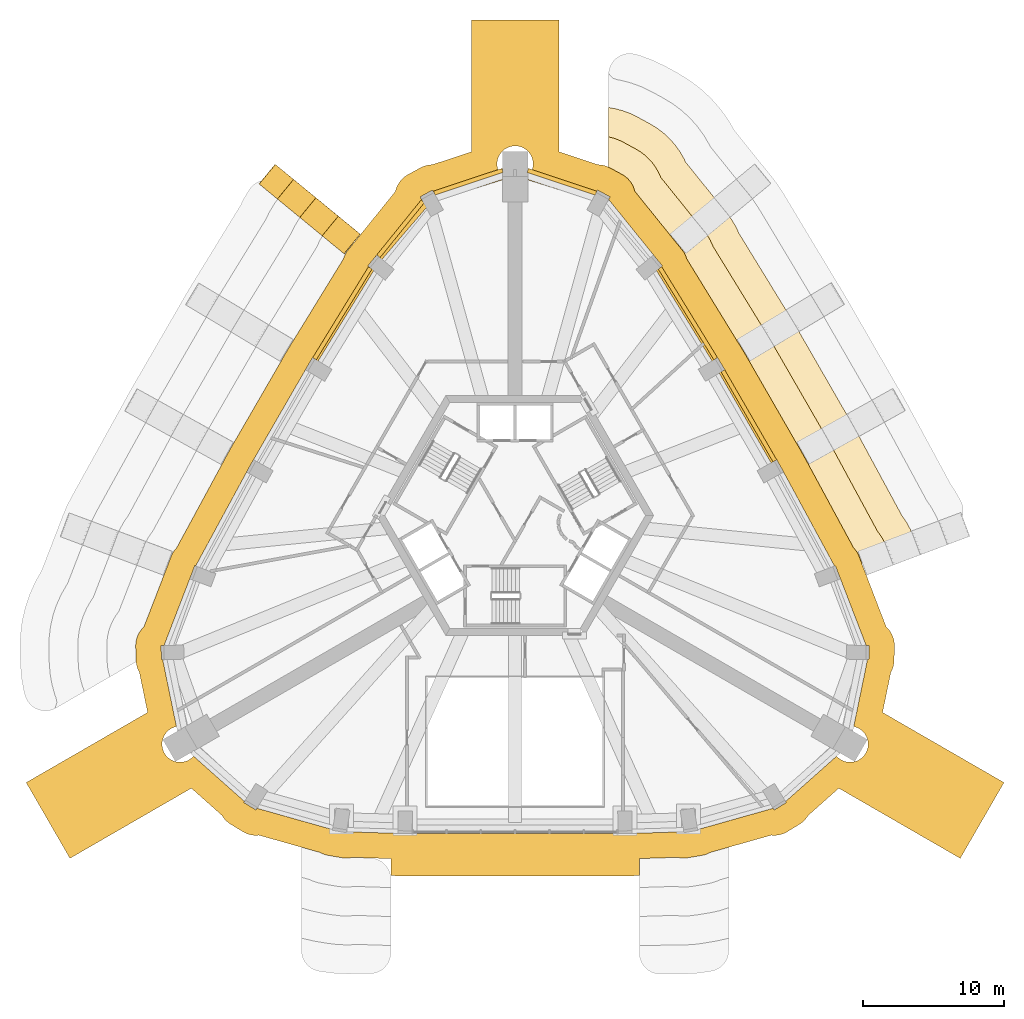
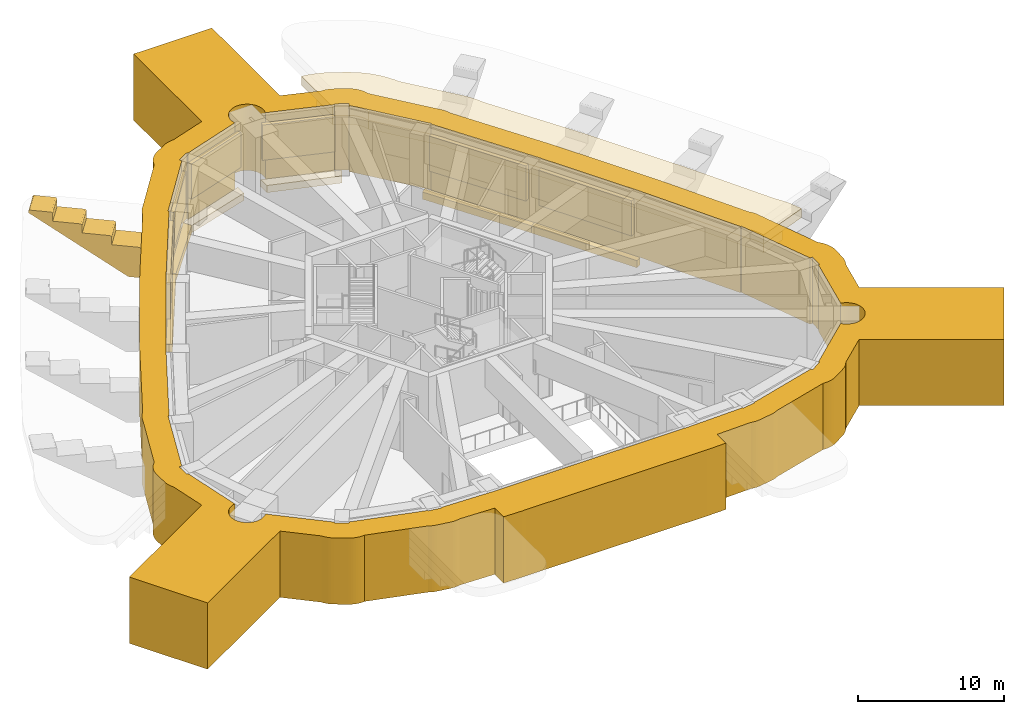
# One storey, part 14 of 15: 10 coverings, 6 shading devices.
"""IFC4 building model written with IfcOpenShell, lengths in metres."""

from ifc_helpers import new_model, si_unit, direction, frame, origin, origin_2d, place, context, subcontext, project, spatial, polyline, rectangle, outline, extrude, material, layer, layer_set, type_object, element, save


model = new_model("IFC4")

# Units and contexts
model_context = context("Model", 3, precision=1e-05, world=origin(), true_north=direction((0.0, 1.0)))
body_context = subcontext(model_context, "Body", "Model", "MODEL_VIEW")
ifc_project = project(units=[si_unit("LENGTHUNIT", "METRE"), si_unit("AREAUNIT", "SQUARE_METRE"), si_unit("VOLUMEUNIT", "CUBIC_METRE"), si_unit("PLANEANGLEUNIT", "RADIAN"), si_unit("MASSUNIT", "GRAM", prefix="KILO")], contexts=[model_context])

# Site, building, storey
site_placement = place(None, origin())
site = spatial("IfcSite", under=ifc_project, at=site_placement, CompositionType="ELEMENT")
building_placement = place(site_placement, origin())
building = spatial("IfcBuilding", under=site, at=building_placement, Name="Entoto Arch Interchange Tower", CompositionType="ELEMENT")
storey_placement = place(building_placement, frame((0.0, 0.0, 326.0)))
storey = spatial("IfcBuildingStorey", under=building, at=storey_placement, Name="L77", CompositionType="ELEMENT", Elevation=326.0)

# Shading devices
ifc_material_1 = material(Name="Aluminium, anodised", Category="aluminium")
ifc_layer = layer(ifc_material_1, 0.300048828125)
ifc_layer_set = layer_set([ifc_layer], Name="Aluminium, anodised")
shading_device_type = type_object("IfcShadingDeviceType", Name="PLANT LOUVRE ALUMINIUM", PredefinedType="JALOUSIE", material=ifc_layer_set)
shading_device_1_placement = place(storey_placement, frame((16.56005859375, 9.56103515625, 1.2001953125), z_axis=(0.0, 0.0, 1.0), x_axis=(-0.49990930729, 0.866077758913, 0.0)))
element("IfcShadingDevice", 1, at=shading_device_1_placement, inside=storey, type_object=shading_device_type, Name="Plant louvre NE-02 L77", PredefinedType="JALOUSIE", context=body_context, shape_type="SweptSolid", body=[
    extrude(rectangle(XDim=7.35693359375, YDim=0.300048828125, at=origin_2d()), origin(), (0.0, 0.0, 1.0), 2.949951171875),
])
shading_device_2_placement = place(storey_placement, frame((12.236083984375, 16.822998046875, 1.2001953125), z_axis=(0.0, 0.0, 1.0), x_axis=(-0.522766403735, 0.852475974515, 0.0)))
element("IfcShadingDevice", 2, at=shading_device_2_placement, inside=storey, type_object=shading_device_type, Name="Plant louvre NE-03 L77", PredefinedType="JALOUSIE", context=body_context, shape_type="SweptSolid", body=[
    extrude(rectangle(XDim=7.552001953125, YDim=0.300048828125, at=origin_2d()), origin(), (0.0, 0.0, 1.0), 2.949951171875),
])
for number, where, z_axis, x_axis, name in (
    (3, (3.31396484375, 26.14208984375, 1.2001953125), (0.0, 0.0, 1.0), (-0.948975128887, 0.315350923185, 0.0), "Plant louvre N-02 L77"),
    (4, (-3.31396484375, 26.14208984375, 1.2001953125), (0.0, 0.0, 1.0), (-0.948975128887, -0.315350923185, 0.0), "Plant louvre N-03 L77"),
):
    element("IfcShadingDevice", number, at=place(storey_placement, frame(where, z_axis=z_axis, x_axis=x_axis)), inside=storey, type_object=shading_device_type, Name=name, PredefinedType="JALOUSIE", context=body_context, shape_type="SweptSolid", body=[
        extrude(rectangle(XDim=5.090087890625, YDim=0.300048828125, at=origin_2d()), origin(), (0.0, 0.0, 1.0), 2.949951171875),
    ])
shading_device_3_placement = place(storey_placement, frame((-8.115966796875, 22.805908203125, 1.2001953125), z_axis=(0.0, 0.0, 1.0), x_axis=(-0.628221098318, -0.778034865304, 0.0)))
element("IfcShadingDevice", 5, at=shading_device_3_placement, inside=storey, type_object=shading_device_type, Name="Plant louvre N-04 L77", PredefinedType="JALOUSIE", context=body_context, shape_type="SweptSolid", body=[
    extrude(rectangle(XDim=5.0, YDim=0.300048828125, at=origin_2d()), origin(), (0.0, 0.0, 1.0), 2.949951171875),
])
shading_device_4_placement = place(storey_placement, frame((-12.236083984375, 16.822998046875, 1.2001953125), z_axis=(0.0, 0.0, 1.0), x_axis=(-0.522766403735, -0.852475974515, 0.0)))
element("IfcShadingDevice", 6, at=shading_device_4_placement, inside=storey, type_object=shading_device_type, Name="Plant louvre NW-01 L77", PredefinedType="JALOUSIE", context=body_context, shape_type="SweptSolid", body=[
    extrude(rectangle(XDim=7.552001953125, YDim=0.300048828125, at=origin_2d()), origin(), (0.0, 0.0, 1.0), 2.949951171875),
])

# Coverings
ifc_material_2 = material(Name="Board-marked precast concrete C50/60", Category="concrete")
covering_type_1 = type_object("IfcCoveringType", Name="PRECAST FRAME COURSE", PredefinedType="CLADDING", material=ifc_material_2)
covering_1_placement = place(storey_placement, frame((0.0, 0.0, 2.699951171875)))
element("IfcCovering", 7, at=covering_1_placement, inside=storey, type_object=covering_type_1, Name="Cantilever cornice ne-L77 3", PredefinedType="CLADDING", context=body_context, shape_type="SweptSolid", body=[
    extrude(outline(polyline([(6.614990234375, 31.4208984375), (6.7490234375, 31.3759765625), (7.0439453125, 31.330078125), (7.60400390625, 31.18505859375), (8.14794921875, 30.985107421875), (8.6689453125, 30.73291015625), (9.547119140625, 30.25390625), (10.041015625, 29.951904296875), (10.5029296875, 29.60302734375), (10.928955078125, 29.2109375), (11.31396484375, 28.779052734375), (11.655029296875, 28.31103515625), (11.948974609375, 27.81201171875), (12.073974609375, 27.5419921875), (14.68994140625, 24.2939453125), (14.987060546875, 23.931884765625), (15.3330078125, 23.468017578125), (15.632080078125, 22.971923828125), (15.8701171875, 22.468994140625), (19.333984375, 16.822021484375), (19.404052734375, 16.717041015625), (19.91796875, 15.85888671875), (19.969970703125, 15.77099609375), (23.577880859375, 9.5048828125), (23.694091796875, 9.320068359375), (24.179931640625, 8.446044921875), (24.2109375, 8.387939453125), (27.39794921875, 2.50390625), (27.7099609375, 2.051025390625), (27.989990234375, 1.5439453125), (28.219970703125, 1.011962890625), (28.385009765625, 0.571044921875), (28.39501953125, 0.5439453125), (24.698974609375, -0.840087890625), (24.623046875, -0.863037109375), (24.623046875, -0.864013671875), (24.554931640625, -0.886962890625), (24.556884765625, -0.89306640625), (24.555908203125, -0.89404296875), (24.552978515625, -0.885986328125), (24.3798828125, -0.425048828125), (24.31005859375, -0.262939453125), (24.22509765625, -0.10888671875), (24.1240234375, 0.037109375), (24.010009765625, 0.172119140625), (23.98388671875, 0.197021484375), (20.60595703125, 6.43603515625), (20.595947265625, 6.4541015625), (20.110107421875, 7.327880859375), (20.01708984375, 7.47802734375), (20.008056640625, 7.489013671875), (16.4169921875, 13.72509765625), (16.40087890625, 13.751953125), (15.886962890625, 14.610107421875), (15.81396484375, 14.719970703125), (12.1640625, 20.6708984375), (12.154052734375, 20.70703125), (12.094970703125, 20.8740234375), (12.01904296875, 21.032958984375), (11.927978515625, 21.18408203125), (11.822021484375, 21.325927734375), (11.510986328125, 21.705078125), (8.47509765625, 25.472900390625), (8.448974609375, 25.58203125), (8.39111328125, 25.7490234375), (8.31689453125, 25.909912109375), (8.22705078125, 26.06201171875), (8.123046875, 26.205078125), (8.0048828125, 26.3369140625), (7.8759765625, 26.4560546875), (7.735107421875, 26.56298828125), (7.583984375, 26.655029296875), (6.7060546875, 27.134033203125), (6.614990234375, 27.177978515625), (6.614990234375, 27.214111328125), (6.614990234375, 27.402099609375), (6.614990234375, 31.4208984375)])), origin(), (0.0, 0.0, 1.0), 0.75),
])
covering_2_placement = place(storey_placement, frame((0.0, 0.0, 1.949951171875)))
element("IfcCovering", 8, at=covering_2_placement, inside=storey, type_object=covering_type_1, Name="Cantilever cornice ne-L77 4", PredefinedType="CLADDING", context=body_context, shape_type="SweptSolid", body=[
    extrude(outline(polyline([(6.614990234375, 29.324951171875), (6.626953125, 29.322998046875), (6.992919921875, 29.22802734375), (7.346923828125, 29.097900390625), (7.68798828125, 28.93310546875), (8.56591796875, 28.4541015625), (8.887939453125, 28.258056640625), (9.18896484375, 28.030029296875), (9.467041015625, 27.77392578125), (9.718994140625, 27.491943359375), (9.94091796875, 27.18603515625), (10.133056640625, 26.861083984375), (10.291015625, 26.51806640625), (10.31005859375, 26.462890625), (13.10009765625, 22.9990234375), (13.405029296875, 22.62890625), (13.631103515625, 22.325927734375), (13.824951171875, 22.001953125), (13.987060546875, 21.660888671875), (14.02490234375, 21.556884765625), (17.573974609375, 15.77099609375), (17.64599609375, 15.6640625), (18.159912109375, 14.805908203125), (18.193115234375, 14.748046875), (21.782958984375, 8.514892578125), (21.902099609375, 8.323974609375), (22.387939453125, 7.449951171875), (22.408935546875, 7.412109375), (25.68310546875, 1.364013671875), (25.7529296875, 1.281982421875), (25.967041015625, 0.970947265625), (26.14990234375, 0.639892578125), (26.300048828125, 0.2939453125), (26.468994140625, -0.156982421875), (26.47607421875, -0.175048828125), (24.698974609375, -0.840087890625), (24.623046875, -0.863037109375), (24.623046875, -0.864013671875), (24.554931640625, -0.886962890625), (24.556884765625, -0.89306640625), (24.555908203125, -0.89404296875), (24.552978515625, -0.885986328125), (24.3798828125, -0.425048828125), (24.31005859375, -0.262939453125), (24.22509765625, -0.10888671875), (24.1240234375, 0.037109375), (24.010009765625, 0.172119140625), (23.98388671875, 0.197021484375), (20.60595703125, 6.43603515625), (20.595947265625, 6.4541015625), (20.110107421875, 7.327880859375), (20.01708984375, 7.47802734375), (20.008056640625, 7.489013671875), (16.4169921875, 13.72509765625), (16.40087890625, 13.751953125), (15.886962890625, 14.610107421875), (15.81396484375, 14.719970703125), (12.1640625, 20.6708984375), (12.154052734375, 20.70703125), (12.094970703125, 20.8740234375), (12.01904296875, 21.032958984375), (11.927978515625, 21.18408203125), (11.822021484375, 21.325927734375), (11.510986328125, 21.705078125), (8.47509765625, 25.472900390625), (8.448974609375, 25.58203125), (8.39111328125, 25.7490234375), (8.31689453125, 25.909912109375), (8.22705078125, 26.06201171875), (8.123046875, 26.205078125), (8.0048828125, 26.3369140625), (7.8759765625, 26.4560546875), (7.735107421875, 26.56298828125), (7.583984375, 26.655029296875), (6.7060546875, 27.134033203125), (6.614990234375, 27.177978515625), (6.614990234375, 27.214111328125), (6.614990234375, 27.402099609375), (6.614990234375, 29.324951171875)])), origin(), (0.0, 0.0, 1.0), 0.75),
])
covering_3_placement = place(storey_placement, frame((-11.652099609375, 22.9990234375, -0.574951171875), z_axis=(0.635524128067, 0.772075868997, 0.002816940914), x_axis=(0.69461651307, -0.570164018402, -0.438658058048)))
element("IfcCovering", 9, at=covering_3_placement, inside=storey, type_object=covering_type_1, Name="Fold rib NW01 L77", PredefinedType="CLADDING", context=body_context, shape_type="SweptSolid", body=[
    extrude(outline(polyline([(0.0, 0.0), (0.043410617556721896, 0.0), (0.08528097139549545, -0.013643860160816867), (0.6995481954720538, -0.31457436017540363), (0.7333632079009409, -0.3422184121718998), (0.7571505827453275, -0.37963928603053076), (0.7694913805547781, -0.4223394035474835), (0.7690129883116482, -0.4655742814755991), (0.7553549082597097, -0.5078081950948692), (-0.23141586390571867, -2.5298925101199536), (-0.2566204990463137, -2.5664906434340398), (-0.278680178719686, -2.585879781826166), (-0.3038705814628162, -2.6002090734443932), (-0.34631197088068066, -2.612906700435775), (-0.39054012507575275, -2.6125089906687897), (-0.43201226491311306, -2.598783042710684), (-2.112450445663448, -1.7785120476616183), (-2.382881539470703, -2.3308571508193356), (-2.400705504663482, -2.354483538030032), (-2.435175609643868, -2.381126492040292), (-2.4758750548164166, -2.3979376880770067), (-2.5197640431746215, -2.402051364064252), (-2.548861538158416, -2.396813248966923), (-2.5762668546399174, -2.3866936445373867), (-4.283364357081057, -1.553409650058374), (-4.554491451887339, -2.1054120597669517), (-4.571928200390533, -2.129230308967671), (-4.606228721261283, -2.15595555574722), (-4.647484967233053, -2.1724925970246223), (-4.691373955591257, -2.1766062730118683), (-4.719914649775831, -2.1716423126738507), (-4.747319966257332, -2.1615227082443154), (-6.454974269497693, -1.32796455900599), (-6.725544563504754, -1.8802411234738798), (-6.742981312007947, -1.9040593726745993), (-6.777281832878698, -1.9307846194541476), (-6.818538078850468, -1.94732166073155), (-6.862427067208673, -1.9514353367187964), (-6.891524562192467, -1.9461972216214662), (-6.9182338776749415, -1.9364203106410716), (-8.17544110639611, -1.3227391909517756), (-8.21163352191592, -1.2985507312311673), (-8.231163857507568, -1.2754318458038414), (-8.25184205733818, -1.2365436255021605), (-8.258262301647314, -1.2078712347152871), (-8.259584908961262, -1.1781566619403163), (-8.25453897111843, -1.1496487853974129), (-8.243836652542239, -1.1214563169403795), (-8.228622162024797, -1.0965547393669173), (-8.208465179617338, -1.0751499004539866), (-8.184331496530893, -1.0581329368467451), (-8.157777532760589, -1.0455587133619924), (-8.128812121777868, -1.039593868921565), (0.0, 0.0)])), origin(), (0.0, 0.0, -1.0), 1.800048828125),
])
covering_4_placement = place(storey_placement, frame((0.0, 0.0, -0.60009765625)))
element("IfcCovering", 10, at=covering_4_placement, inside=storey, type_object=covering_type_1, Name="Zone frame L77", PredefinedType="CLADDING", context=body_context, shape_type="SweptSolid", body=[
    extrude(outline(polyline([(20.761962890625, -18.74609375), (20.760009765625, -18.7509765625), (20.6630859375, -18.89794921875), (20.552001953125, -19.035888671875), (20.427978515625, -19.162109375), (20.2919921875, -19.27490234375), (20.14599609375, -19.3740234375), (19.29296875, -19.89501953125), (19.137939453125, -19.97900390625), (18.97509765625, -20.048095703125), (18.805908203125, -20.10107421875), (18.633056640625, -20.136962890625), (18.4580078125, -20.156005859375), (18.281005859375, -20.156982421875), (18.155029296875, -20.14501953125), (13.823974609375, -21.367919921875), (13.7451171875, -21.412109375), (13.583984375, -21.48291015625), (13.416015625, -21.5380859375), (13.242919921875, -21.575927734375), (12.258056640625, -21.743896484375), (12.08203125, -21.76611328125), (11.906005859375, -21.76904296875), (11.72900390625, -21.756103515625), (11.554931640625, -21.72509765625), (11.52392578125, -21.716064453125), (8.800048828125, -21.802978515625), (8.800048828125, -23.00390625), (8.51708984375, -23.012939453125), (8.35888671875, -23.02392578125), (7.85888671875, -23.032958984375), (7.35888671875, -23.04296875), (7.298095703125, -23.0439453125), (-7.06103515625, -23.033935546875), (-7.06494140625, -23.034912109375), (-7.35888671875, -23.04296875), (-7.85888671875, -23.032958984375), (-8.35888671875, -23.02392578125), (-8.39990234375, -23.02197265625), (-8.800048828125, -23.009033203125), (-8.800048828125, -21.80810546875), (-11.527099609375, -21.717041015625), (-11.554931640625, -21.72509765625), (-11.72900390625, -21.756103515625), (-11.906005859375, -21.76904296875), (-12.08203125, -21.76611328125), (-12.258056640625, -21.743896484375), (-13.242919921875, -21.575927734375), (-13.416015625, -21.5380859375), (-13.583984375, -21.48291015625), (-13.7451171875, -21.412109375), (-13.823974609375, -21.367919921875), (-18.155029296875, -20.14501953125), (-18.281005859375, -20.156982421875), (-18.4580078125, -20.156005859375), (-18.633056640625, -20.136962890625), (-18.805908203125, -20.10107421875), (-18.97509765625, -20.048095703125), (-19.137939453125, -19.97900390625), (-19.29296875, -19.89501953125), (-20.14599609375, -19.3740234375), (-20.2919921875, -19.27490234375), (-20.427978515625, -19.162109375), (-20.552001953125, -19.035888671875), (-20.6630859375, -18.89794921875), (-20.760009765625, -18.7509765625), (-20.761962890625, -18.74609375), (-22.931884765625, -16.819091796875), (-31.533935546875, -21.785888671875), (-34.634033203125, -16.416015625), (-26.031005859375, -11.449951171875), (-26.615966796875, -8.60693359375), (-26.617919921875, -8.60302734375), (-26.697998046875, -8.445068359375), (-26.760986328125, -8.280029296875), (-26.80810546875, -8.110107421875), (-26.837890625, -7.93603515625), (-26.85107421875, -7.760009765625), (-26.8759765625, -6.760009765625), (-26.87109375, -6.5830078125), (-26.85009765625, -6.407958984375), (-26.81103515625, -6.236083984375), (-26.7548828125, -6.068115234375), (-26.68408203125, -5.906005859375), (-26.596923828125, -5.7529296875), (-26.4951171875, -5.60791015625), (-26.37890625, -5.47509765625), (-26.298095703125, -5.39697265625), (-24.552001953125, -0.885009765625), (-24.3798828125, -0.425048828125), (-24.31005859375, -0.262939453125), (-24.22509765625, -0.10888671875), (-24.1240234375, 0.037109375), (-24.010009765625, 0.172119140625), (-23.98291015625, 0.197998046875), (-20.655029296875, 6.333984375), (-20.595947265625, 6.4541015625), (-20.110107421875, 7.327880859375), (-20.094970703125, 7.35498046875), (-16.489990234375, 13.5830078125), (-16.48388671875, 13.595947265625), (-16.40087890625, 13.751953125), (-15.886962890625, 14.610107421875), (-15.876953125, 14.626953125), (-12.1630859375, 20.672119140625), (-12.154052734375, 20.70703125), (-12.094970703125, 20.8740234375), (-12.01904296875, 21.032958984375), (-11.927978515625, 21.18408203125), (-11.822021484375, 21.325927734375), (-11.510009765625, 21.705078125), (-8.47802734375, 25.4599609375), (-8.448974609375, 25.58203125), (-8.39111328125, 25.7490234375), (-8.31689453125, 25.909912109375), (-8.22705078125, 26.06201171875), (-8.123046875, 26.205078125), (-8.0048828125, 26.3369140625), (-7.8759765625, 26.4560546875), (-7.735107421875, 26.56298828125), (-7.583984375, 26.655029296875), (-6.7060546875, 27.134033203125), (-6.547119140625, 27.2109375), (-6.381103515625, 27.27099609375), (-6.2099609375, 27.31591796875), (-6.035888671875, 27.343017578125), (-5.85888671875, 27.35302734375), (-5.85498046875, 27.35302734375), (-3.10009765625, 28.26904296875), (-3.10009765625, 37.60205078125), (3.10009765625, 37.60205078125), (3.10009765625, 28.26904296875), (5.85498046875, 27.35302734375), (5.85888671875, 27.35302734375), (6.035888671875, 27.343017578125), (6.2099609375, 27.31591796875), (6.381103515625, 27.27099609375), (6.547119140625, 27.2109375), (6.7060546875, 27.134033203125), (7.583984375, 26.655029296875), (7.735107421875, 26.56298828125), (7.8759765625, 26.4560546875), (8.0048828125, 26.3369140625), (8.123046875, 26.205078125), (8.22705078125, 26.06201171875), (8.31689453125, 25.909912109375), (8.39111328125, 25.7490234375), (8.448974609375, 25.58203125), (8.47509765625, 25.472900390625), (11.510986328125, 21.705078125), (11.822021484375, 21.325927734375), (11.927978515625, 21.18408203125), (12.01904296875, 21.032958984375), (12.094970703125, 20.8740234375), (12.154052734375, 20.70703125), (12.1640625, 20.6708984375), (15.81396484375, 14.719970703125), (15.886962890625, 14.610107421875), (16.40087890625, 13.751953125), (16.4169921875, 13.72509765625), (20.008056640625, 7.489013671875), (20.01708984375, 7.47802734375), (20.110107421875, 7.327880859375), (20.595947265625, 6.4541015625), (20.60595703125, 6.43603515625), (23.98388671875, 0.197021484375), (24.010009765625, 0.172119140625), (24.1240234375, 0.037109375), (24.22509765625, -0.10888671875), (24.31005859375, -0.262939453125), (24.3798828125, -0.425048828125), (24.552978515625, -0.885986328125), (26.2880859375, -5.387939453125), (26.37890625, -5.47509765625), (26.4951171875, -5.60791015625), (26.596923828125, -5.7529296875), (26.68408203125, -5.906005859375), (26.7548828125, -6.068115234375), (26.81103515625, -6.236083984375), (26.85009765625, -6.407958984375), (26.87109375, -6.5830078125), (26.8759765625, -6.760009765625), (26.85107421875, -7.760009765625), (26.837890625, -7.93603515625), (26.80810546875, -8.110107421875), (26.760986328125, -8.280029296875), (26.697998046875, -8.445068359375), (26.617919921875, -8.60302734375), (26.615966796875, -8.60693359375), (26.031005859375, -11.449951171875), (34.634033203125, -16.416015625), (31.533935546875, -21.785888671875), (22.931884765625, -16.819091796875), (20.761962890625, -18.74609375)]), holes=[polyline([(24.9619140625, -7.714111328125), (25.052001953125, -7.716064453125), (25.06396484375, -7.216064453125), (25.075927734375, -6.716064453125), (24.882080078125, -6.7109375), (24.85595703125, -6.676025390625), (22.8701171875, -1.52490234375), (22.695068359375, -1.056884765625), (22.62890625, -1.0810546875), (19.01806640625, 5.575927734375), (19.02294921875, 5.5791015625), (18.780029296875, 6.01611328125), (18.537109375, 6.452880859375), (18.530029296875, 6.448974609375), (14.85009765625, 12.822998046875), (14.85693359375, 12.826904296875), (14.60009765625, 13.256103515625), (14.343017578125, 13.68505859375), (14.339111328125, 13.681884765625), (10.37890625, 20.137939453125), (10.43310546875, 20.181884765625), (10.114990234375, 20.568115234375), (6.64794921875, 24.862060546875), (6.62890625, 24.903076171875), (6.721923828125, 25.074951171875), (6.282958984375, 25.31396484375), (5.843994140625, 25.552978515625), (5.801025390625, 25.47412109375), (1.2109375, 26.9990234375), (1.222900390625, 27.031005859375), (1.2529296875, 27.153076171875), (1.27197265625, 27.277099609375), (1.278076171875, 27.402099609375), (1.27197265625, 27.527099609375), (1.2529296875, 27.65087890625), (1.222900390625, 27.77294921875), (1.180908203125, 27.89111328125), (1.126953125, 28.00390625), (1.06201171875, 28.112060546875), (0.988037109375, 28.212890625), (0.904052734375, 28.305908203125), (0.81103515625, 28.389892578125), (0.7099609375, 28.464111328125), (0.60205078125, 28.529052734375), (0.489013671875, 28.5830078125), (0.37109375, 28.625), (0.2490234375, 28.655029296875), (0.125, 28.674072265625), (0.0, 28.679931640625), (-0.125, 28.674072265625), (-0.2490234375, 28.655029296875), (-0.37109375, 28.625), (-0.489013671875, 28.5830078125), (-0.60205078125, 28.529052734375), (-0.7099609375, 28.464111328125), (-0.81103515625, 28.389892578125), (-0.904052734375, 28.305908203125), (-0.988037109375, 28.212890625), (-1.06201171875, 28.112060546875), (-1.126953125, 28.00390625), (-1.180908203125, 27.89111328125), (-1.222900390625, 27.77294921875), (-1.2529296875, 27.65087890625), (-1.27197265625, 27.527099609375), (-1.278076171875, 27.402099609375), (-1.27197265625, 27.277099609375), (-1.2529296875, 27.153076171875), (-1.222900390625, 27.031005859375), (-1.2109375, 26.9990234375), (-5.801025390625, 25.47412109375), (-5.843994140625, 25.552978515625), (-6.282958984375, 25.31396484375), (-6.721923828125, 25.074951171875), (-6.62890625, 24.903076171875), (-6.64794921875, 24.862060546875), (-10.114990234375, 20.568115234375), (-10.43310546875, 20.181884765625), (-10.37890625, 20.137939453125), (-14.339111328125, 13.681884765625), (-14.343017578125, 13.68505859375), (-14.60009765625, 13.256103515625), (-14.85693359375, 12.826904296875), (-14.85009765625, 12.822998046875), (-18.530029296875, 6.448974609375), (-18.537109375, 6.452880859375), (-18.780029296875, 6.01611328125), (-19.02294921875, 5.5791015625), (-19.01806640625, 5.575927734375), (-22.62890625, -1.0810546875), (-22.695068359375, -1.056884765625), (-22.8701171875, -1.52490234375), (-24.85595703125, -6.676025390625), (-24.882080078125, -6.7109375), (-25.075927734375, -6.716064453125), (-25.06396484375, -7.216064453125), (-25.052001953125, -7.716064453125), (-24.9619140625, -7.714111328125), (-23.988037109375, -12.449951171875), (-24.10205078125, -12.47802734375), (-24.219970703125, -12.52001953125), (-24.3330078125, -12.573974609375), (-24.44091796875, -12.638916015625), (-24.5419921875, -12.712890625), (-24.635009765625, -12.797119140625), (-24.718994140625, -12.889892578125), (-24.79296875, -12.990966796875), (-24.85791015625, -13.09912109375), (-24.912109375, -13.2119140625), (-24.9541015625, -13.330078125), (-24.98388671875, -13.451904296875), (-25.0029296875, -13.575927734375), (-25.009033203125, -13.700927734375), (-25.0029296875, -13.825927734375), (-24.98388671875, -13.949951171875), (-24.9541015625, -14.072021484375), (-24.912109375, -14.18994140625), (-24.85791015625, -14.302978515625), (-24.79296875, -14.410888671875), (-24.718994140625, -14.511962890625), (-24.635009765625, -14.60498046875), (-24.5419921875, -14.68896484375), (-24.44091796875, -14.762939453125), (-24.3330078125, -14.827880859375), (-24.219970703125, -14.882080078125), (-24.10205078125, -14.924072265625), (-23.97998046875, -14.9541015625), (-23.85595703125, -14.972900390625), (-23.73095703125, -14.97900390625), (-23.60595703125, -14.972900390625), (-23.48193359375, -14.9541015625), (-23.360107421875, -14.924072265625), (-23.241943359375, -14.882080078125), (-23.12890625, -14.827880859375), (-23.02099609375, -14.762939453125), (-22.919921875, -14.68896484375), (-22.826904296875, -14.60498046875), (-22.777099609375, -14.549072265625), (-19.162109375, -17.760986328125), (-19.208984375, -17.837890625), (-18.781982421875, -18.097900390625), (-18.35498046875, -18.35791015625), (-18.281982421875, -18.239013671875), (-12.931884765625, -19.7490234375), (-12.94091796875, -19.802001953125), (-12.447998046875, -19.885986328125), (-11.955078125, -19.969970703125), (-11.944091796875, -19.902099609375), (-8.800048828125, -20.001953125), (-8.300048828125, -20.01806640625), (-8.300048828125, -20.02392578125), (-7.800048828125, -20.033935546875), (-7.800048828125, -20.033935546875), (-7.300048828125, -20.0439453125), (-7.300048828125, -20.033935546875), (7.300048828125, -20.033935546875), (7.300048828125, -20.0439453125), (7.800048828125, -20.033935546875), (7.800048828125, -20.033935546875), (8.300048828125, -20.02392578125), (8.300048828125, -20.01806640625), (8.800048828125, -20.001953125), (11.944091796875, -19.902099609375), (11.955078125, -19.969970703125), (12.447998046875, -19.885986328125), (12.94091796875, -19.802001953125), (12.931884765625, -19.7490234375), (18.281982421875, -18.239013671875), (18.35498046875, -18.35791015625), (18.781982421875, -18.097900390625), (19.208984375, -17.837890625), (19.162109375, -17.760986328125), (22.777099609375, -14.549072265625), (22.826904296875, -14.60498046875), (22.919921875, -14.68896484375), (23.02099609375, -14.762939453125), (23.12890625, -14.827880859375), (23.241943359375, -14.882080078125), (23.360107421875, -14.924072265625), (23.48193359375, -14.9541015625), (23.60595703125, -14.972900390625), (23.73095703125, -14.97900390625), (23.85595703125, -14.972900390625), (23.97998046875, -14.9541015625), (24.10205078125, -14.924072265625), (24.219970703125, -14.882080078125), (24.3330078125, -14.827880859375), (24.44091796875, -14.762939453125), (24.5419921875, -14.68896484375), (24.635009765625, -14.60498046875), (24.718994140625, -14.511962890625), (24.79296875, -14.410888671875), (24.85791015625, -14.302978515625), (24.912109375, -14.18994140625), (24.9541015625, -14.072021484375), (24.98388671875, -13.949951171875), (25.0029296875, -13.825927734375), (25.009033203125, -13.700927734375), (25.0029296875, -13.575927734375), (24.98388671875, -13.451904296875), (24.9541015625, -13.330078125), (24.912109375, -13.2119140625), (24.85791015625, -13.09912109375), (24.79296875, -12.990966796875), (24.718994140625, -12.889892578125), (24.635009765625, -12.797119140625), (24.5419921875, -12.712890625), (24.44091796875, -12.638916015625), (24.3330078125, -12.573974609375), (24.219970703125, -12.52001953125), (24.10205078125, -12.47802734375), (23.988037109375, -12.449951171875), (24.9619140625, -7.714111328125)])]), origin(), (0.0, 0.0, 1.0), 5.550048828125),
])
covering_type_2 = type_object("IfcCoveringType", Name="PRECAST LEDGE COURSE", PredefinedType="CLADDING", material=ifc_material_2)
covering_5_placement = place(storey_placement, frame((0.0, 0.0, -1.199951171875)))
element("IfcCovering", 11, at=covering_5_placement, inside=storey, type_object=covering_type_2, Name="Precast course NE-02 L77", PredefinedType="CLADDING", context=body_context, shape_type="SweptSolid", body=[
    extrude(outline(polyline([(14.212890625, 13.02392578125), (14.60009765625, 13.256103515625), (18.780029296875, 6.01611328125), (18.385986328125, 5.797119140625), (14.212890625, 13.02392578125)])), origin(), (0.0, 0.0, 1.0), 0.599853515625),
])
covering_6_placement = place(storey_placement, frame((0.0, 0.0, -1.199951171875)))
element("IfcCovering", 12, at=covering_6_placement, inside=storey, type_object=covering_type_2, Name="Precast course NE-03 L77", PredefinedType="CLADDING", context=body_context, shape_type="SweptSolid", body=[
    extrude(outline(polyline([(9.75390625, 20.27197265625), (10.114990234375, 20.568115234375), (14.60009765625, 13.256103515625), (14.212890625, 13.02392578125), (9.75390625, 20.27197265625)])), origin(), (0.0, 0.0, 1.0), 0.599853515625),
])
covering_7_placement = place(storey_placement, frame((0.0, 0.0, -1.199951171875)))
element("IfcCovering", 13, at=covering_7_placement, inside=storey, type_object=covering_type_2, Name="Precast course N-02 L77", PredefinedType="CLADDING", context=body_context, shape_type="SweptSolid", body=[
    extrude(outline(polyline([(0.89990234375, 26.27294921875), (0.89990234375, 27.10302734375), (6.282958984375, 25.31396484375), (5.947998046875, 24.700927734375), (0.89990234375, 26.27294921875)])), origin(), (0.0, 0.0, 1.0), 0.599853515625),
])
covering_8_placement = place(storey_placement, frame((0.0, 0.0, -1.199951171875)))
element("IfcCovering", 14, at=covering_8_placement, inside=storey, type_object=covering_type_2, Name="Precast course N-03 L77", PredefinedType="CLADDING", context=body_context, shape_type="SweptSolid", body=[
    extrude(outline(polyline([(-5.947998046875, 24.700927734375), (-6.282958984375, 25.31396484375), (-0.89990234375, 27.10302734375), (-0.89990234375, 26.27294921875), (-5.947998046875, 24.700927734375)])), origin(), (0.0, 0.0, 1.0), 0.599853515625),
])
covering_9_placement = place(storey_placement, frame((0.0, 0.0, -1.199951171875)))
element("IfcCovering", 15, at=covering_9_placement, inside=storey, type_object=covering_type_2, Name="Precast course N-04 L77", PredefinedType="CLADDING", context=body_context, shape_type="SweptSolid", body=[
    extrude(outline(polyline([(-9.75390625, 20.27197265625), (-10.114990234375, 20.568115234375), (-6.282958984375, 25.31396484375), (-5.947998046875, 24.700927734375), (-9.75390625, 20.27197265625)])), origin(), (0.0, 0.0, 1.0), 0.599853515625),
])
covering_10_placement = place(storey_placement, frame((0.0, 0.0, -1.199951171875)))
element("IfcCovering", 16, at=covering_10_placement, inside=storey, type_object=covering_type_2, Name="Precast course NW-01 L77", PredefinedType="CLADDING", context=body_context, shape_type="SweptSolid", body=[
    extrude(outline(polyline([(-14.212890625, 13.02392578125), (-14.60009765625, 13.256103515625), (-10.114990234375, 20.568115234375), (-9.75390625, 20.27197265625), (-14.212890625, 13.02392578125)])), origin(), (0.0, 0.0, 1.0), 0.599853515625),
])

save(model, "model.ifc")
